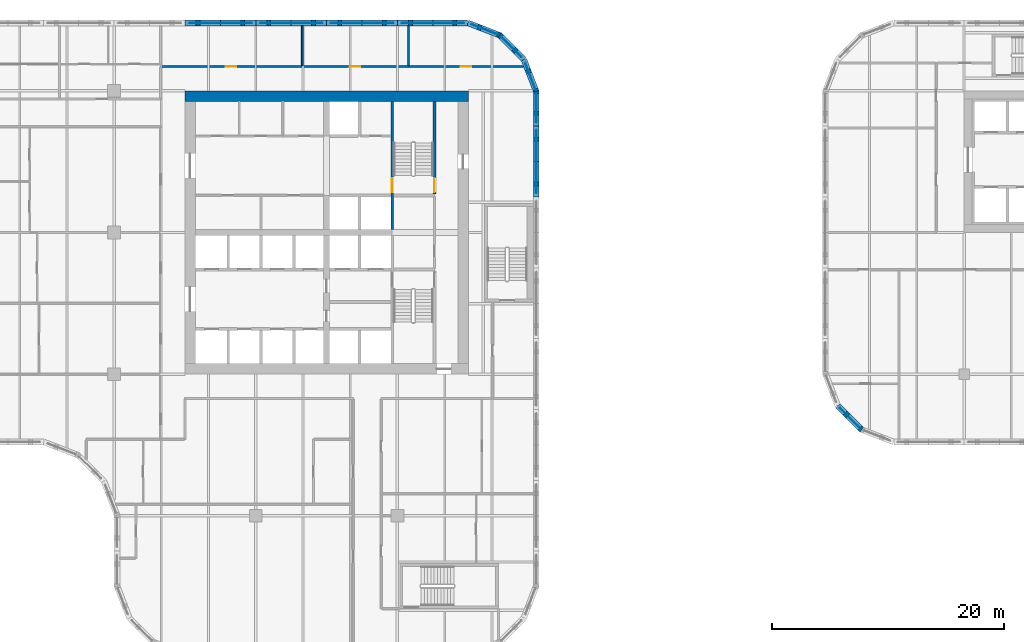
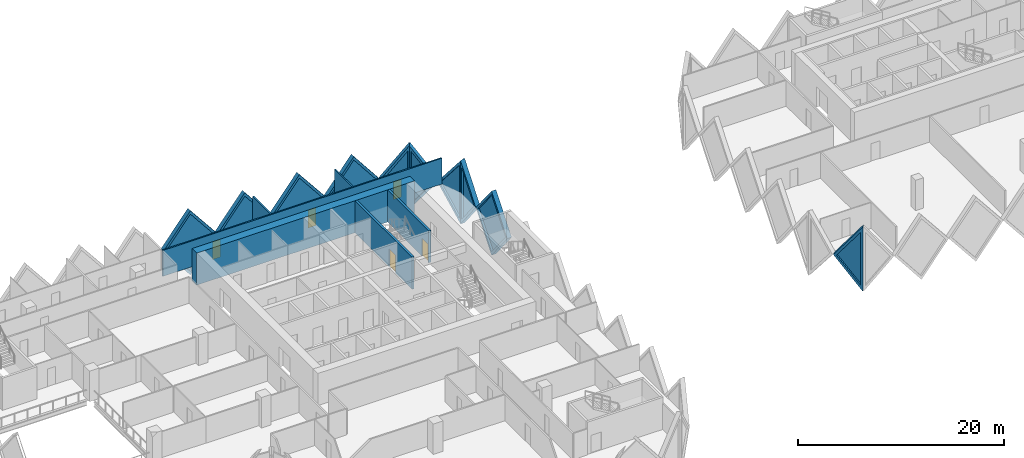
# One storey, part 10 of 18: 16 walls, 10 plates, 5 doors, 15 openings.
"""IFC4 building model written with IfcOpenShell, lengths in metres."""

from ifc_helpers import new_model, si_unit, direction, frame, frame_2d, origin, place, context, subcontext, project, spatial, polyline, rectangle, outline, extrude, faceted_brep, source, transform, mapped, material, layer, layer_set, type_object, element, fill, save


model = new_model("IFC4")

# Units and contexts
model_context = context("Model", 3, precision=1e-05, world=origin(), true_north=direction((0.0, 1.0)))
body_context = subcontext(model_context, "Body", "Model", "MODEL_VIEW")
ifc_project = project(units=[si_unit("LENGTHUNIT", "METRE"), si_unit("AREAUNIT", "SQUARE_METRE"), si_unit("VOLUMEUNIT", "CUBIC_METRE"), si_unit("PLANEANGLEUNIT", "RADIAN"), si_unit("MASSUNIT", "GRAM", prefix="KILO")], contexts=[model_context])

# Site, building, storey
site_placement = place(None, origin())
site = spatial("IfcSite", under=ifc_project, at=site_placement, CompositionType="ELEMENT")
building_placement = place(site_placement, origin())
building = spatial("IfcBuilding", under=site, at=building_placement, Name="Tessera Gate Towers", CompositionType="ELEMENT")
storey_placement = place(building_placement, frame((0.0, 0.0, 37.199951171875)))
storey = spatial("IfcBuildingStorey", under=building, at=storey_placement, Name="L08", CompositionType="ELEMENT", Elevation=37.199951171875)

# Wall, opening, door
ifc_material_1 = material(Name="Concrete C40/50", Category="concrete")
ifc_layer_1 = layer(ifc_material_1, 0.25)
ifc_layer_set_1 = layer_set([ifc_layer_1], Name="CORE ENCLOSURE WALL 250")
wall_type_1 = type_object("IfcWallType", Name="CORE ENCLOSURE WALL 250", PredefinedType="SOLIDWALL", material=ifc_layer_set_1)
wall_1_placement = place(storey_placement, frame((48.35009765625, 47.89990234375, 0.0), z_axis=(0.0, 0.0, 1.0), x_axis=(0.0, -1.0, 0.0)))
wall_1 = element("IfcWall", 1, at=wall_1_placement, inside=storey, type_object=wall_type_1, Name="L08 shaft and stair enclosure wall", PredefinedType="SOLIDWALL", context=body_context, shape_type="SweptSolid", body=[
    extrude(rectangle(XDim=11.0498046875, YDim=0.25, at=frame_2d((5.52490234375, 0.0))), origin(), (0.0, 0.0, 1.0), 3.800048828125),
])
shared_shape_1 = source(origin(), body_context, "Body", "SweptSolid", [
    extrude(rectangle(XDim=1.199951171875, YDim=2.10009765625, at=frame_2d((0.60009765625, 1.050048828125))), frame((0.0, 0.135009765625, 0.0), z_axis=(0.0, -1.0, 0.0), x_axis=(1.0, 0.0, 0.0)), (0.0, 0.0, 1.0), 0.27001953125),
])
opening_1_placement = place(wall_1_placement, frame((6.625, 0.0, 0.0)))
opening_1 = element("IfcOpeningElement", 2, at=opening_1_placement, cuts=wall_1, Name="Opening SD-ST2-1", PredefinedType="OPENING", context=body_context, shape_type="MappedRepresentation", body=[
    mapped(shared_shape_1, transform((0.0, 0.0, 0.0), scale=1.0)),
])
ifc_material_2 = material(Name="Hollow steel fire door", Category="steel")
door_type_1 = type_object("IfcDoorType", Name="CORE DOOR SD 1200x2100", OperationType="NOTDEFINED", PredefinedType="DOOR", material=ifc_material_2)
shared_shape_2 = source(origin(), body_context, "Body", "SweptSolid", [
    extrude(rectangle(XDim=1.199951171875, YDim=2.10009765625, at=frame_2d((0.60009765625, 1.050048828125))), frame((0.0, 0.02490234375, 0.0), z_axis=(0.0, -1.0, 0.0), x_axis=(1.0, 0.0, 0.0)), (0.0, 0.0, 1.0), 0.050048828125),
])
door_1_placement = place(opening_1_placement, origin())
door_1 = element("IfcDoor", 3, at=door_1_placement, inside=storey, type_object=door_type_1, Name="Stair door", OperationType="SINGLE_SWING_RIGHT", OverallHeight=2.10009765625, OverallWidth=1.199951171875, PredefinedType="DOOR", context=body_context, shape_type="MappedRepresentation", body=[
    mapped(shared_shape_2, transform((0.0, 0.0, 0.0), scale=1.0)),
])
fill(opening_1, door_1)

wall_2_placement = place(storey_placement, frame((52.0, 39.925048828125, 0.0), z_axis=(0.0, 0.0, 1.0), x_axis=(0.0, 1.0, 0.0)))
wall_2 = element("IfcWall", 4, at=wall_2_placement, inside=storey, type_object=wall_type_1, Name="L08 shaft and stair enclosure wall", PredefinedType="SOLIDWALL", context=body_context, shape_type="SweptSolid", body=[
    extrude(rectangle(XDim=7.974853515625, YDim=0.25, at=frame_2d((3.9873046875, 0.0))), origin(), (0.0, 0.0, 1.0), 3.800048828125),
])
opening_2_placement = place(wall_2_placement, frame((0.14990234375, 0.0, 0.0)))
opening_2 = element("IfcOpeningElement", 5, at=opening_2_placement, cuts=wall_2, Name="Opening SD-ST2-2", PredefinedType="OPENING", context=body_context, shape_type="MappedRepresentation", body=[
    mapped(shared_shape_1, transform((0.0, 0.0, 0.0), scale=1.0)),
])
door_2_placement = place(opening_2_placement, origin())
door_2 = element("IfcDoor", 6, at=door_2_placement, inside=storey, type_object=door_type_1, Name="Stair door", OperationType="SINGLE_SWING_LEFT", OverallHeight=2.10009765625, OverallWidth=1.199951171875, PredefinedType="DOOR", context=body_context, shape_type="MappedRepresentation", body=[
    mapped(shared_shape_2, transform((0.0, 0.0, 0.0), scale=1.0)),
])
fill(opening_2, door_2)

# Wall
ifc_material_3 = material(Name="Concrete C70/85", Category="concrete")
ifc_layer_2 = layer(ifc_material_3, 0.89990234375)
ifc_layer_set_2 = layer_set([ifc_layer_2], Name="CORE SHEAR WALL 900 C70/85")
wall_type_2 = type_object("IfcWallType", Name="CORE SHEAR WALL 900 C70/85", PredefinedType="SHEAR", material=ifc_layer_set_2)
wall_3_placement = place(storey_placement, frame((30.5, 48.35009765625, 0.0), z_axis=(0.0, 0.0, 1.0), x_axis=(1.0, 0.0, 0.0)))
element("IfcWall", 7, at=wall_3_placement, inside=storey, type_object=wall_type_2, Name="Core wall N L08", PredefinedType="SHEAR", context=body_context, shape_type="SweptSolid", body=[
    extrude(rectangle(XDim=24.39990234375, YDim=0.89990234375, at=frame_2d((12.199951171875, 0.0))), origin(), (0.0, 0.0, 1.0), 3.800048828125),
])

# Wall, openings, doors
ifc_material_4 = material(Name="Gypsum board on steel studs, mineral wool", Category="steel")
ifc_layer_3 = layer(ifc_material_4, 0.14990234375)
ifc_layer_set_3 = layer_set([ifc_layer_3], Name="CORRIDOR WALL 150")
wall_type_3 = type_object("IfcWallType", Name="CORRIDOR WALL 150", PredefinedType="PARTITIONING", material=ifc_layer_set_3)
wall_4_placement = place(storey_placement, frame((28.39990234375, 50.89990234375, 0.0), z_axis=(0.0, 0.0, 1.0), x_axis=(1.0, 0.0, 0.0)))
wall_4 = element("IfcWall", 8, at=wall_4_placement, inside=storey, type_object=wall_type_3, Name="T1-L08-PW-046", PredefinedType="PARTITIONING", context=body_context, shape_type="SweptSolid", body=[
    extrude(rectangle(XDim=31.254150390625, YDim=0.14990234375, at=frame_2d((15.626953125, 0.0))), origin(), (0.0, 0.0, 1.0), 3.067138671875),
])
shared_shape_3 = source(origin(), body_context, "Body", "SweptSolid", [
    extrude(rectangle(XDim=0.89990234375, YDim=2.10009765625, at=frame_2d((0.449951171875, 1.050048828125))), frame((0.0, 0.0849609375, 0.0), z_axis=(0.0, -1.0, 0.0), x_axis=(1.0, 0.0, 0.0)), (0.0, 0.0, 1.0), 0.169921875),
])
opening_3_placement = place(wall_4_placement, frame((16.301025390625, 0.0, 0.0)))
opening_3 = element("IfcOpeningElement", 9, at=opening_3_placement, cuts=wall_4, Name="Opening D890FD60-A03-09", PredefinedType="OPENING", context=body_context, shape_type="MappedRepresentation", body=[
    mapped(shared_shape_3, transform((0.0, 0.0, 0.0), scale=1.0)),
])
opening_4_placement = place(wall_4_placement, frame((25.85009765625, 0.0, 0.0)))
opening_4 = element("IfcOpeningElement", 10, at=opening_4_placement, cuts=wall_4, Name="Opening D890FD60-A03-11", PredefinedType="OPENING", context=body_context, shape_type="MappedRepresentation", body=[
    mapped(shared_shape_3, transform((0.0, 0.0, 0.0), scale=1.0)),
])
opening_5_placement = place(wall_4_placement, frame((5.60009765625, 0.0, 0.0)))
opening_5 = element("IfcOpeningElement", 11, at=opening_5_placement, cuts=wall_4, Name="Opening D890FD60-A03-13", PredefinedType="OPENING", context=body_context, shape_type="MappedRepresentation", body=[
    mapped(shared_shape_3, transform((0.0, 0.0, 0.0), scale=1.0)),
])
ifc_material_5 = material(Name="Timber door leaf in steel frame", Category="steel")
door_type_2 = type_object("IfcDoorType", Name="CORRIDOR DOOR 900 FD60", OperationType="NOTDEFINED", PredefinedType="DOOR", material=ifc_material_5)
shared_shape_4 = source(origin(), body_context, "Body", "SweptSolid", [
    extrude(rectangle(XDim=0.89990234375, YDim=2.10009765625, at=frame_2d((0.449951171875, 1.050048828125))), frame((0.0, 0.02490234375, 0.0), z_axis=(0.0, -1.0, 0.0), x_axis=(1.0, 0.0, 0.0)), (0.0, 0.0, 1.0), 0.050048828125),
])
door_3_placement = place(opening_3_placement, origin())
door_3 = element("IfcDoor", 12, at=door_3_placement, inside=storey, type_object=door_type_2, Name="T1-L08-PD-026", OperationType="SINGLE_SWING_LEFT", OverallHeight=2.10009765625, OverallWidth=0.89990234375, PredefinedType="DOOR", context=body_context, shape_type="MappedRepresentation", body=[
    mapped(shared_shape_4, transform((0.0, 0.0, 0.0), scale=1.0)),
])
fill(opening_3, door_3)
door_4_placement = place(opening_4_placement, origin())
door_4 = element("IfcDoor", 13, at=door_4_placement, inside=storey, type_object=door_type_2, Name="T1-L08-PD-028", OperationType="SINGLE_SWING_LEFT", OverallHeight=2.10009765625, OverallWidth=0.89990234375, PredefinedType="DOOR", context=body_context, shape_type="MappedRepresentation", body=[
    mapped(shared_shape_4, transform((0.0, 0.0, 0.0), scale=1.0)),
])
fill(opening_4, door_4)
door_5_placement = place(opening_5_placement, origin())
door_5 = element("IfcDoor", 14, at=door_5_placement, inside=storey, type_object=door_type_2, Name="T1-L08-PD-030", OperationType="SINGLE_SWING_LEFT", OverallHeight=2.10009765625, OverallWidth=0.89990234375, PredefinedType="DOOR", context=body_context, shape_type="MappedRepresentation", body=[
    mapped(shared_shape_4, transform((0.0, 0.0, 0.0), scale=1.0)),
])
fill(opening_5, door_5)

# Walls
ifc_material_6 = material(Name="Gypsum board on steel studs, mineral wool", Category="steel")
ifc_layer_4 = layer(ifc_material_6, 0.14990234375)
ifc_layer_set_4 = layer_set([ifc_layer_4], Name="TENANCY WALL 150")
wall_type_4 = type_object("IfcWallType", Name="TENANCY WALL 150", PredefinedType="PARTITIONING", material=ifc_layer_set_4)
for number, where, z_axis, x_axis, name in (
    (15, (40.60009765625, 50.97607421875, 0.0), (0.0, 0.0, 1.0), (0.0, 1.0, 0.0), "T1-L08-PW-047"),
    (16, (49.75, 50.97607421875, 0.0), (0.0, 0.0, 1.0), (0.0, 1.0, 0.0), "T1-L08-PW-048"),
):
    element("IfcWall", number, at=place(storey_placement, frame(where, z_axis=z_axis, x_axis=x_axis)), inside=storey, type_object=wall_type_4, Name=name, PredefinedType="PARTITIONING", context=body_context, shape_type="SweptSolid", body=[
        extrude(rectangle(XDim=3.423828125, YDim=0.14990234375, at=frame_2d((1.7119140625, 0.0))), origin(), (0.0, 0.0, 1.0), 3.067138671875),
    ])

# Wall, opening, plate
ifc_material_7 = material(Name="Precast concrete C60/75 white", Category="concrete")
ifc_layer_5 = layer(ifc_material_7, 0.5)
ifc_layer_set_5 = layer_set([ifc_layer_5], Name="TS1 tessera")
wall_type_5 = type_object("IfcWallType", Name="TS1 tessera", PredefinedType="SOLIDWALL", material=ifc_layer_set_5)
shared_shape_5 = source(origin(), body_context, "Body", "Brep", [
    faceted_brep([(3.00341796875, -0.25, 0.0), (6.053466796875, -0.25, 3.800048828125), (3.00341796875, -0.25, 7.60009765625), (0.0, -0.25, 3.800048828125), (0.046630859375, 0.25, 3.85888671875), (3.00341796875, 0.25, 7.60009765625), (6.053466796875, 0.25, 3.800048828125), (3.00341796875, 0.25, 0.0), (0.046630859375, 0.25, 3.7412109375), (0.0, 0.0, 3.800048828125)], [[[0, 1, 2, 3]], [[4, 5, 6, 7, 8]], [[7, 6, 1, 0]], [[6, 5, 2, 1]], [[5, 4, 9, 3, 2]], [[8, 7, 0, 3, 9]], [[8, 9, 4]]]),
])
wall_5_placement = place(storey_placement, frame((54.853515625, 54.64990234375, -3.800048828125), z_axis=(0.0, 0.0, 1.0), x_axis=(-1.0, 0.0, 0.0)))
wall_5 = element("IfcWall", 17, at=wall_5_placement, inside=storey, type_object=wall_type_5, Name="Precast tessera T1 TS1-0079", PredefinedType="SOLIDWALL", context=body_context, shape_type="MappedRepresentation", body=[
    mapped(shared_shape_5, transform((0.0, 0.0, 0.0), scale=1.0)),
])
shared_shape_6 = source(origin(), body_context, "Body", "SweptSolid", [
    extrude(outline(polyline([(3.0048828125, 0.4013671875), (5.73291015625, 3.800048828125), (3.0048828125, 7.19873046875), (0.318603515625, 3.800048828125), (3.0048828125, 0.4013671875)])), frame((0.0, 0.260009765625, 0.0), z_axis=(0.0, -1.0, 0.0), x_axis=(1.0, 0.0, 0.0)), (0.0, 0.0, 1.0), 0.52001953125),
])
opening_6_placement = place(wall_5_placement, origin())
opening_6 = element("IfcOpeningElement", 18, at=opening_6_placement, cuts=wall_5, Name="Opening T1-PL2-0159", PredefinedType="OPENING", context=body_context, shape_type="MappedRepresentation", body=[
    mapped(shared_shape_6, transform((0.0, 0.0, 0.0), scale=1.0)),
])
ifc_material_8 = material(Name="Low-e laminated glass", Category="glass")
ifc_layer_6 = layer(ifc_material_8, 0.06005859375)
ifc_layer_set_6 = layer_set([ifc_layer_6], Name="PL2 rhombic pane")
plate_type = type_object("IfcPlateType", Name="PL2 rhombic pane", PredefinedType="SHEET", material=ifc_layer_set_6)
shared_shape_7 = source(origin(), body_context, "Body", "SweptSolid", [
    extrude(outline(polyline([(3.0048828125, 0.4013671875), (5.73291015625, 3.800048828125), (3.0048828125, 7.19873046875), (0.318603515625, 3.800048828125), (3.0048828125, 0.4013671875)])), frame((0.0, 0.030029296875, 0.0), z_axis=(0.0, -1.0, 0.0), x_axis=(1.0, 0.0, 0.0)), (0.0, 0.0, 1.0), 0.06005859375),
])
plate_1_placement = place(opening_6_placement, origin())
plate_1 = element("IfcPlate", 19, at=plate_1_placement, inside=storey, type_object=plate_type, Name="Glass pane T1 PL2-0159", PredefinedType="SHEET", context=body_context, shape_type="MappedRepresentation", body=[
    mapped(shared_shape_7, transform((0.0, 0.0, 0.0), scale=1.0)),
])
fill(opening_6, plate_1)

shared_shape_8 = source(origin(), body_context, "Body", "Brep", [
    faceted_brep([(3.050048828125, -0.25, 0.0), (6.099853515625, -0.25, 3.7998046875), (6.099853515625, -0.25, 3.80029296875), (3.050048828125, -0.25, 7.60009765625), (0.0, -0.25, 3.800048828125), (0.0, 0.25, 3.800048828125), (3.050048828125, 0.25, 7.60009765625), (6.099853515625, 0.25, 3.80029296875), (6.099853515625, 0.25, 3.7998046875), (3.050048828125, 0.25, 0.0)], [[[0, 1, 2, 3, 4]], [[5, 6, 7, 8, 9]], [[9, 8, 1, 0]], [[7, 6, 3, 2]], [[6, 5, 4, 3]], [[5, 9, 0, 4]], [[1, 8, 7, 2]]]),
])
wall_6_placement = place(storey_placement, frame((42.699951171875, 54.64990234375, -3.800048828125), z_axis=(0.0, 0.0, 1.0), x_axis=(-1.0, 0.0, 0.0)))
wall_6 = element("IfcWall", 20, at=wall_6_placement, inside=storey, type_object=wall_type_5, Name="Precast tessera T1 TS1-0081", PredefinedType="SOLIDWALL", context=body_context, shape_type="MappedRepresentation", body=[
    mapped(shared_shape_8, transform((0.0, 0.0, 0.0), scale=1.0)),
])
shared_shape_9 = source(origin(), body_context, "Body", "SweptSolid", [
    extrude(outline(polyline([(3.050048828125, 0.3994140625), (5.779541015625, 3.800048828125), (3.050048828125, 7.20068359375), (0.320556640625, 3.800048828125), (3.050048828125, 0.3994140625)])), frame((0.0, 0.260009765625, 0.0), z_axis=(0.0, -1.0, 0.0), x_axis=(1.0, 0.0, 0.0)), (0.0, 0.0, 1.0), 0.52001953125),
])
opening_7_placement = place(wall_6_placement, origin())
opening_7 = element("IfcOpeningElement", 21, at=opening_7_placement, cuts=wall_6, Name="Opening T1-PL2-0161", PredefinedType="OPENING", context=body_context, shape_type="MappedRepresentation", body=[
    mapped(shared_shape_9, transform((0.0, 0.0, 0.0), scale=1.0)),
])
shared_shape_10 = source(origin(), body_context, "Body", "SweptSolid", [
    extrude(outline(polyline([(3.050048828125, 0.3994140625), (5.779541015625, 3.800048828125), (3.050048828125, 7.20068359375), (0.320556640625, 3.800048828125), (3.050048828125, 0.3994140625)])), frame((0.0, 0.030029296875, 0.0), z_axis=(0.0, -1.0, 0.0), x_axis=(1.0, 0.0, 0.0)), (0.0, 0.0, 1.0), 0.06005859375),
])
plate_2_placement = place(opening_7_placement, origin())
plate_2 = element("IfcPlate", 22, at=plate_2_placement, inside=storey, type_object=plate_type, Name="Glass pane T1 PL2-0161", PredefinedType="SHEET", context=body_context, shape_type="MappedRepresentation", body=[
    mapped(shared_shape_10, transform((0.0, 0.0, 0.0), scale=1.0)),
])
fill(opening_7, plate_2)

shared_shape_11 = source(origin(), body_context, "Body", "SweptSolid", [
    extrude(outline(polyline([(3.050048828125, 0.0), (6.10009765625, 3.800048828125), (3.050048828125, 7.60009765625), (0.0, 3.800048828125), (3.050048828125, 0.0)])), frame((0.0, 0.25, 0.0), z_axis=(0.0, -1.0, 0.0), x_axis=(1.0, 0.0, 0.0)), (0.0, 0.0, 1.0), 0.5),
])
wall_7_placement = place(storey_placement, frame((60.75, 39.64990234375, -3.800048828125), z_axis=(0.0, 0.0, 1.0), x_axis=(0.0, 1.0, 0.0)))
wall_7 = element("IfcWall", 23, at=wall_7_placement, inside=storey, type_object=wall_type_5, Name="Precast tessera T1 TS1-0078", PredefinedType="SOLIDWALL", context=body_context, shape_type="MappedRepresentation", body=[
    mapped(shared_shape_11, transform((0.0, 0.0, 0.0), scale=1.0)),
])
opening_8_placement = place(wall_7_placement, origin())
opening_8 = element("IfcOpeningElement", 24, at=opening_8_placement, cuts=wall_7, Name="Opening T1-PL2-0154", PredefinedType="OPENING", context=body_context, shape_type="MappedRepresentation", body=[
    mapped(shared_shape_9, transform((0.0, 0.0, 0.0), scale=1.0)),
])
plate_3_placement = place(opening_8_placement, origin())
plate_3 = element("IfcPlate", 25, at=plate_3_placement, inside=storey, type_object=plate_type, Name="Glass pane T1 PL2-0154", PredefinedType="SHEET", context=body_context, shape_type="MappedRepresentation", body=[
    mapped(shared_shape_10, transform((0.0, 0.0, 0.0), scale=1.0)),
])
fill(opening_8, plate_3)

wall_8_placement = place(storey_placement, frame((48.800048828125, 54.64990234375, -3.800048828125), z_axis=(0.0, 0.0, 1.0), x_axis=(-1.0, 0.0, 0.0)))
wall_8 = element("IfcWall", 26, at=wall_8_placement, inside=storey, type_object=wall_type_5, Name="Precast tessera T1 TS1-0080", PredefinedType="SOLIDWALL", context=body_context, shape_type="MappedRepresentation", body=[
    mapped(shared_shape_11, transform((0.0, 0.0, 0.0), scale=1.0)),
])
opening_9_placement = place(wall_8_placement, origin())
opening_9 = element("IfcOpeningElement", 27, at=opening_9_placement, cuts=wall_8, Name="Opening T1-PL2-0160", PredefinedType="OPENING", context=body_context, shape_type="MappedRepresentation", body=[
    mapped(shared_shape_9, transform((0.0, 0.0, 0.0), scale=1.0)),
])
plate_4_placement = place(opening_9_placement, origin())
plate_4 = element("IfcPlate", 28, at=plate_4_placement, inside=storey, type_object=plate_type, Name="Glass pane T1 PL2-0160", PredefinedType="SHEET", context=body_context, shape_type="MappedRepresentation", body=[
    mapped(shared_shape_10, transform((0.0, 0.0, 0.0), scale=1.0)),
])
fill(opening_9, plate_4)

wall_9_placement = place(storey_placement, frame((36.60009765625, 54.64990234375, -3.800048828125), z_axis=(0.0, 0.0, 1.0), x_axis=(-1.0, 0.0, 0.0)))
wall_9 = element("IfcWall", 29, at=wall_9_placement, inside=storey, type_object=wall_type_5, Name="Precast tessera T1 TS1-0082", PredefinedType="SOLIDWALL", context=body_context, shape_type="MappedRepresentation", body=[
    mapped(shared_shape_11, transform((0.0, 0.0, 0.0), scale=1.0)),
])
opening_10_placement = place(wall_9_placement, origin())
opening_10 = element("IfcOpeningElement", 30, at=opening_10_placement, cuts=wall_9, Name="Opening T1-PL2-0162", PredefinedType="OPENING", context=body_context, shape_type="MappedRepresentation", body=[
    mapped(shared_shape_9, transform((0.0, 0.0, 0.0), scale=1.0)),
])
plate_5_placement = place(opening_10_placement, origin())
plate_5 = element("IfcPlate", 31, at=plate_5_placement, inside=storey, type_object=plate_type, Name="Glass pane T1 PL2-0162", PredefinedType="SHEET", context=body_context, shape_type="MappedRepresentation", body=[
    mapped(shared_shape_10, transform((0.0, 0.0, 0.0), scale=1.0)),
])
fill(opening_10, plate_5)

ifc_material_9 = material(Name="Precast concrete C60/75 white", Category="concrete")
ifc_layer_7 = layer(ifc_material_9, 0.5)
ifc_layer_set_7 = layer_set([ifc_layer_7], Name="TS3 corner tessera")
wall_type_6 = type_object("IfcWallType", Name="TS3 corner tessera", PredefinedType="SOLIDWALL", material=ifc_layer_set_7)
shared_shape_12 = source(origin(), body_context, "Body", "Brep", [
    faceted_brep([(3.00341796875, -0.25, 0.0), (3.050048828125, -0.25, 0.06005859375), (3.050048828125, -0.25, 7.5400390625), (3.00341796875, -0.25, 7.60009765625), (0.0, -0.25, 3.800048828125), (0.0, 0.25, 3.800048828125), (2.956787109375, 0.25, 7.541259765625), (2.956787109375, 0.25, 0.058837890625), (3.00341796875, 0.000244140625, 0.0), (3.00341796875, 0.000244140625, 7.60009765625)], [[[0, 1, 2, 3, 4]], [[5, 6, 7]], [[1, 0, 8]], [[9, 3, 2]], [[6, 5, 4, 3, 9]], [[5, 7, 8, 0, 4]], [[1, 8, 7, 6, 9, 2]]]),
])
wall_10_placement = place(storey_placement, frame((60.75, 45.75, -3.800048828125), z_axis=(0.0, 0.0, 1.0), x_axis=(0.0, 1.0, 0.0)))
wall_10 = element("IfcWall", 32, at=wall_10_placement, inside=storey, type_object=wall_type_6, Name="Precast corner tessera T1 TS3-0149", PredefinedType="SOLIDWALL", context=body_context, shape_type="MappedRepresentation", body=[
    mapped(shared_shape_12, transform((0.0, 0.0, 0.0), scale=1.0)),
])
shared_shape_13 = source(origin(), body_context, "Body", "SweptSolid", [
    extrude(outline(polyline([(2.803466796875, 6.94384765625), (0.318603515625, 3.800048828125), (2.803466796875, 0.65625), (2.803466796875, 6.94384765625)])), frame((0.0, 0.260009765625, 0.0), z_axis=(0.0, -1.0, 0.0), x_axis=(1.0, 0.0, 0.0)), (0.0, 0.0, 1.0), 0.52001953125),
])
opening_11_placement = place(wall_10_placement, origin())
opening_11 = element("IfcOpeningElement", 33, at=opening_11_placement, cuts=wall_10, Name="Opening T1-PL2-0155", PredefinedType="OPENING", context=body_context, shape_type="MappedRepresentation", body=[
    mapped(shared_shape_13, transform((0.0, 0.0, 0.0), scale=1.0)),
])
shared_shape_14 = source(origin(), body_context, "Body", "SweptSolid", [
    extrude(outline(polyline([(2.803466796875, 6.94384765625), (0.318603515625, 3.800048828125), (2.803466796875, 0.65625), (2.803466796875, 6.94384765625)])), frame((0.0, 0.030029296875, 0.0), z_axis=(0.0, -1.0, 0.0), x_axis=(1.0, 0.0, 0.0)), (0.0, 0.0, 1.0), 0.06005859375),
])
plate_6_placement = place(opening_11_placement, origin())
plate_6 = element("IfcPlate", 34, at=plate_6_placement, inside=storey, type_object=plate_type, Name="Glass pane T1 PL2-0155", PredefinedType="SHEET", context=body_context, shape_type="MappedRepresentation", body=[
    mapped(shared_shape_14, transform((0.0, 0.0, 0.0), scale=1.0)),
])
fill(opening_11, plate_6)

shared_shape_15 = source(origin(), body_context, "Body", "Brep", [
    faceted_brep([(0.046630859375, -0.25, 0.0), (2.9970703125, -0.25, 3.800048828125), (0.046630859375, -0.25, 7.60009765625), (0.0, -0.25, 7.541259765625), (0.0, -0.25, 0.058837890625), (0.09326171875, 0.25, 7.5400390625), (2.9443359375, 0.25, 3.8681640625), (2.9443359375, 0.25, 3.73193359375), (0.09326171875, 0.25, 0.06005859375), (2.9970703125, 0.00048828125, 3.800048828125), (0.046630859375, 0.0, 0.0), (0.046630859375, 0.0, 7.60009765625)], [[[0, 1, 2, 3, 4]], [[5, 6, 7, 8]], [[8, 7, 9, 1, 0, 10]], [[6, 5, 11, 2, 1, 9]], [[3, 2, 11]], [[10, 0, 4]], [[8, 10, 4, 3, 11, 5]], [[9, 7, 6]]]),
])
wall_11_placement = place(storey_placement, frame((60.766845703125, 48.7099609375, -3.800048828125), z_axis=(0.0, 0.0, 1.0), x_axis=(-0.359901446078, 0.932990326376, 0.0)))
wall_11 = element("IfcWall", 35, at=wall_11_placement, inside=storey, type_object=wall_type_6, Name="Precast corner tessera T1 TS3-0150", PredefinedType="SOLIDWALL", context=body_context, shape_type="MappedRepresentation", body=[
    mapped(shared_shape_15, transform((0.0, 0.0, 0.0), scale=1.0)),
])
shared_shape_16 = source(origin(), body_context, "Body", "SweptSolid", [
    extrude(outline(polyline([(0.24658203125, 0.665283203125), (2.6806640625, 3.800048828125), (0.24658203125, 6.934814453125), (0.24658203125, 0.665283203125)])), frame((0.0, 0.260009765625, 0.0), z_axis=(0.0, -1.0, 0.0), x_axis=(1.0, 0.0, 0.0)), (0.0, 0.0, 1.0), 0.52001953125),
])
opening_12_placement = place(wall_11_placement, origin())
opening_12 = element("IfcOpeningElement", 36, at=opening_12_placement, cuts=wall_11, Name="Opening T1-PL2-0156", PredefinedType="OPENING", context=body_context, shape_type="MappedRepresentation", body=[
    mapped(shared_shape_16, transform((0.0, 0.0, 0.0), scale=1.0)),
])
shared_shape_17 = source(origin(), body_context, "Body", "SweptSolid", [
    extrude(outline(polyline([(0.24658203125, 0.665283203125), (2.6806640625, 3.800048828125), (0.24658203125, 6.934814453125), (0.24658203125, 0.665283203125)])), frame((0.0, 0.030029296875, 0.0), z_axis=(0.0, -1.0, 0.0), x_axis=(1.0, 0.0, 0.0)), (0.0, 0.0, 1.0), 0.06005859375),
])
plate_7_placement = place(opening_12_placement, origin())
plate_7 = element("IfcPlate", 37, at=plate_7_placement, inside=storey, type_object=plate_type, Name="Glass pane T1 PL2-0156", PredefinedType="SHEET", context=body_context, shape_type="MappedRepresentation", body=[
    mapped(shared_shape_17, transform((0.0, 0.0, 0.0), scale=1.0)),
])
fill(opening_12, plate_7)

shared_shape_18 = source(origin(), body_context, "Body", "Brep", [
    faceted_brep([(2.944091796875, -0.25, 0.0), (2.9970703125, -0.25, 0.068115234375), (2.9970703125, -0.25, 7.531982421875), (2.944091796875, -0.25, 7.60009765625), (0.0, -0.25, 3.800048828125), (0.052978515625, 0.25, 3.868408203125), (2.89111328125, 0.25, 7.531982421875), (2.89111328125, 0.25, 0.068115234375), (0.052978515625, 0.25, 3.731689453125), (2.944091796875, 0.000244140625, 0.0), (2.944091796875, 0.000244140625, 7.60009765625), (0.0, 0.0, 3.800048828125)], [[[0, 1, 2, 3, 4]], [[5, 6, 7, 8]], [[1, 0, 9]], [[10, 3, 2]], [[6, 5, 11, 4, 3, 10]], [[8, 7, 9, 0, 4, 11]], [[8, 11, 5]], [[1, 9, 7, 6, 10, 2]]]),
])
wall_12_placement = place(storey_placement, frame((59.68798828125, 51.50634765625, -3.800048828125), z_axis=(0.0, 0.0, 1.0), x_axis=(-0.707106781187, 0.707106781187, 0.0)))
wall_12 = element("IfcWall", 38, at=wall_12_placement, inside=storey, type_object=wall_type_6, Name="Precast corner tessera T1 TS3-0151", PredefinedType="SOLIDWALL", context=body_context, shape_type="MappedRepresentation", body=[
    mapped(shared_shape_18, transform((0.0, 0.0, 0.0), scale=1.0)),
])
shared_shape_19 = source(origin(), body_context, "Body", "SweptSolid", [
    extrude(outline(polyline([(2.744140625, 6.933837890625), (0.316162109375, 3.800048828125), (2.744140625, 0.66650390625), (2.744140625, 6.933837890625)])), frame((0.0, 0.260009765625, 0.0), z_axis=(0.0, -1.0, 0.0), x_axis=(1.0, 0.0, 0.0)), (0.0, 0.0, 1.0), 0.52001953125),
])
opening_13_placement = place(wall_12_placement, origin())
opening_13 = element("IfcOpeningElement", 39, at=opening_13_placement, cuts=wall_12, Name="Opening T1-PL2-0157", PredefinedType="OPENING", context=body_context, shape_type="MappedRepresentation", body=[
    mapped(shared_shape_19, transform((0.0, 0.0, 0.0), scale=1.0)),
])
shared_shape_20 = source(origin(), body_context, "Body", "SweptSolid", [
    extrude(outline(polyline([(2.744140625, 6.933837890625), (0.316162109375, 3.800048828125), (2.744140625, 0.66650390625), (2.744140625, 6.933837890625)])), frame((0.0, 0.030029296875, 0.0), z_axis=(0.0, -1.0, 0.0), x_axis=(1.0, 0.0, 0.0)), (0.0, 0.0, 1.0), 0.06005859375),
])
plate_8_placement = place(opening_13_placement, origin())
plate_8 = element("IfcPlate", 40, at=plate_8_placement, inside=storey, type_object=plate_type, Name="Glass pane T1 PL2-0157", PredefinedType="SHEET", context=body_context, shape_type="MappedRepresentation", body=[
    mapped(shared_shape_20, transform((0.0, 0.0, 0.0), scale=1.0)),
])
fill(opening_13, plate_8)

shared_shape_21 = source(origin(), body_context, "Body", "Brep", [
    faceted_brep([(0.052978515625, -0.25, 0.0), (3.00341796875, -0.25, 3.800048828125), (0.052978515625, -0.25, 7.60009765625), (0.0, -0.25, 7.53173828125), (0.0, -0.25, 0.068359375), (0.10595703125, 0.25, 7.531982421875), (2.95703125, 0.25, 3.85986328125), (2.95703125, 0.25, 3.740234375), (0.10595703125, 0.25, 0.068115234375), (3.00341796875, 0.00048828125, 3.800048828125), (0.052978515625, 0.0, 0.0), (0.052978515625, 0.0, 7.60009765625)], [[[0, 1, 2, 3, 4]], [[5, 6, 7, 8]], [[8, 7, 9, 1, 0, 10]], [[6, 5, 11, 2, 1, 9]], [[3, 2, 11]], [[10, 0, 4]], [[8, 10, 4, 3, 11, 5]], [[9, 7, 6]]]),
])
wall_13_placement = place(storey_placement, frame((57.65576171875, 53.569091796875, -3.800048828125), z_axis=(0.0, 0.0, 1.0), x_axis=(-0.933007896601, 0.359855894603, 0.0)))
wall_13 = element("IfcWall", 41, at=wall_13_placement, inside=storey, type_object=wall_type_6, Name="Precast corner tessera T1 TS3-0152", PredefinedType="SOLIDWALL", context=body_context, shape_type="MappedRepresentation", body=[
    mapped(shared_shape_21, transform((0.0, 0.0, 0.0), scale=1.0)),
])
shared_shape_22 = source(origin(), body_context, "Body", "SweptSolid", [
    extrude(outline(polyline([(0.2529296875, 0.665283203125), (2.68701171875, 3.800048828125), (0.2529296875, 6.934814453125), (0.2529296875, 0.665283203125)])), frame((0.0, 0.260009765625, 0.0), z_axis=(0.0, -1.0, 0.0), x_axis=(1.0, 0.0, 0.0)), (0.0, 0.0, 1.0), 0.52001953125),
])
opening_14_placement = place(wall_13_placement, origin())
opening_14 = element("IfcOpeningElement", 42, at=opening_14_placement, cuts=wall_13, Name="Opening T1-PL2-0158", PredefinedType="OPENING", context=body_context, shape_type="MappedRepresentation", body=[
    mapped(shared_shape_22, transform((0.0, 0.0, 0.0), scale=1.0)),
])
shared_shape_23 = source(origin(), body_context, "Body", "SweptSolid", [
    extrude(outline(polyline([(0.2529296875, 0.665283203125), (2.68701171875, 3.800048828125), (0.2529296875, 6.934814453125), (0.2529296875, 0.665283203125)])), frame((0.0, 0.030029296875, 0.0), z_axis=(0.0, -1.0, 0.0), x_axis=(1.0, 0.0, 0.0)), (0.0, 0.0, 1.0), 0.06005859375),
])
plate_9_placement = place(opening_14_placement, origin())
plate_9 = element("IfcPlate", 43, at=plate_9_placement, inside=storey, type_object=plate_type, Name="Glass pane T1 PL2-0158", PredefinedType="SHEET", context=body_context, shape_type="MappedRepresentation", body=[
    mapped(shared_shape_23, transform((0.0, 0.0, 0.0), scale=1.0)),
])
fill(opening_14, plate_9)

shared_shape_24 = source(origin(), body_context, "Body", "Brep", [
    faceted_brep([(2.944091796875, -0.25, 0.0), (2.9970703125, -0.25, 0.068115234375), (2.9970703125, -0.25, 7.531982421875), (2.944091796875, -0.25, 7.60009765625), (0.0, -0.25, 3.800048828125), (0.052978515625, 0.25, 3.868408203125), (2.89111328125, 0.25, 7.531982421875), (2.89111328125, 0.25, 0.068115234375), (0.052978515625, 0.25, 3.731689453125), (2.944091796875, 0.000244140625, 0.0), (2.944091796875, 0.000244140625, 7.60009765625), (0.0, 0.0, 3.800048828125)], [[[0, 1, 2, 3, 4]], [[5, 6, 7, 8]], [[1, 0, 9]], [[10, 3, 2]], [[6, 5, 11, 4, 3, 10]], [[8, 7, 9, 0, 4, 11]], [[8, 11, 5]], [[1, 9, 7, 6, 10, 2]]]),
])
wall_14_placement = place(storey_placement, frame((86.7119140625, 21.69384765625, -3.800048828125), z_axis=(0.0, 0.0, 1.0), x_axis=(0.707066050402, -0.707147509625, 0.0)))
wall_14 = element("IfcWall", 44, at=wall_14_placement, inside=storey, type_object=wall_type_6, Name="Precast corner tessera T2 TS3-0111", PredefinedType="SOLIDWALL", context=body_context, shape_type="MappedRepresentation", body=[
    mapped(shared_shape_24, transform((0.0, 0.0, 0.0), scale=1.0)),
])
opening_15_placement = place(wall_14_placement, origin())
opening_15 = element("IfcOpeningElement", 45, at=opening_15_placement, cuts=wall_14, Name="Opening T2-PL2-0134", PredefinedType="OPENING", context=body_context, shape_type="MappedRepresentation", body=[
    mapped(shared_shape_19, transform((0.0, 0.0, 0.0), scale=1.0)),
])
plate_10_placement = place(opening_15_placement, origin())
plate_10 = element("IfcPlate", 46, at=plate_10_placement, inside=storey, type_object=plate_type, Name="Glass pane T2 PL2-0134", PredefinedType="SHEET", context=body_context, shape_type="MappedRepresentation", body=[
    mapped(shared_shape_20, transform((0.0, 0.0, 0.0), scale=1.0)),
])
fill(opening_15, plate_10)

save(model, "model.ifc")
